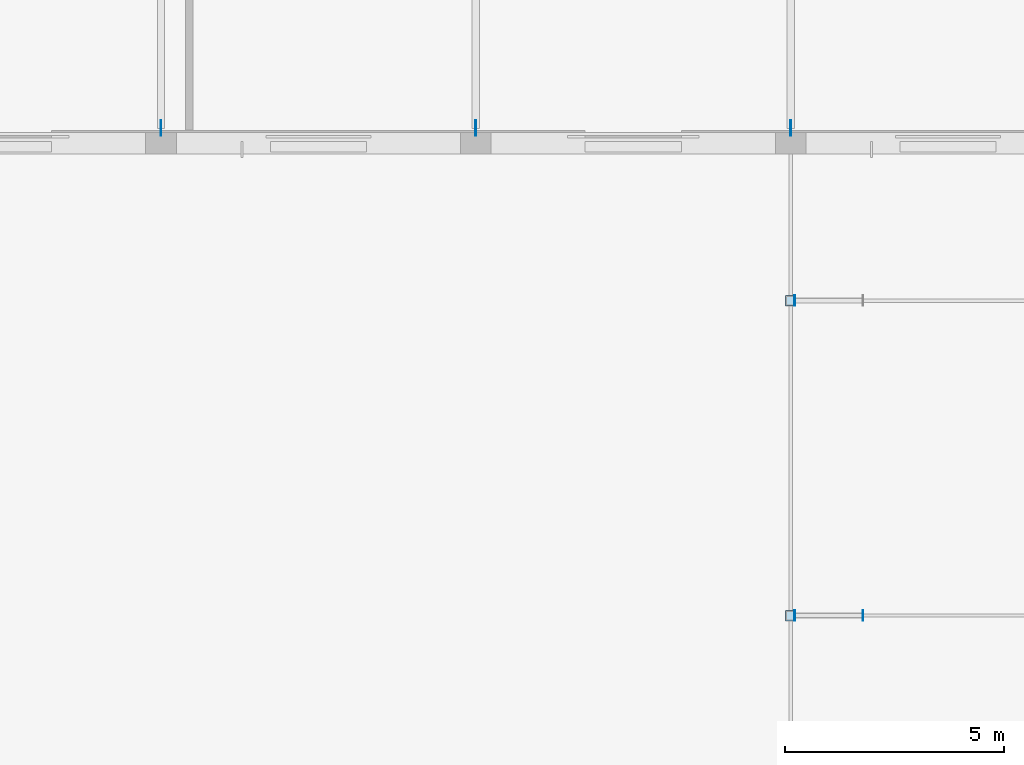
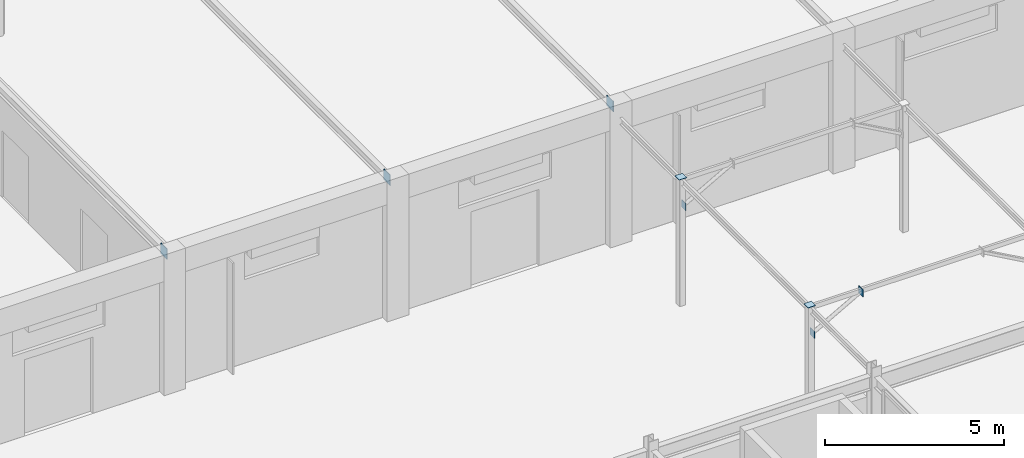
# One storey, part 49 of 85: 8 plates.
"""IFC4 building model written with IfcOpenShell, lengths in metres."""

from ifc_helpers import new_model, si_unit, direction, frame, origin, origin_2d, place, context, subcontext, project, spatial, rectangle, extrude, material, layer, layer_set, type_object, element, save


model = new_model("IFC4")

# Units and contexts
model_context = context("Model", 3, precision=1e-05, world=origin(), true_north=direction((0.0, 1.0)))
body_context = subcontext(model_context, "Body", "Model", "MODEL_VIEW")
ifc_project = project(units=[si_unit("LENGTHUNIT", "METRE"), si_unit("AREAUNIT", "SQUARE_METRE"), si_unit("VOLUMEUNIT", "CUBIC_METRE"), si_unit("PLANEANGLEUNIT", "RADIAN"), si_unit("MASSUNIT", "GRAM", prefix="KILO")], contexts=[model_context])

# Site, building, storey
site_placement = place(None, origin())
site = spatial("IfcSite", under=ifc_project, at=site_placement, CompositionType="ELEMENT")
building_placement = place(site_placement, origin())
building = spatial("IfcBuilding", under=site, at=building_placement, Name="Ochrevale Crest", CompositionType="ELEMENT")
storey_placement = place(building_placement, origin())
storey = spatial("IfcBuildingStorey", under=building, at=storey_placement, Name="L00", CompositionType="ELEMENT", Elevation=0.0)

# Plates
ifc_material = material(Name="Steel S355", Category="steel")
ifc_layer_1 = layer(ifc_material, 0.01611328125)
ifc_layer_set_1 = layer_set([ifc_layer_1], Name="Steel S355")
plate_type_1 = type_object("IfcPlateType", Name="PLT-CAP-EXT-16", PredefinedType="USERDEFINED", material=ifc_layer_set_1)
plate_1_placement = place(storey_placement, frame((79.199951171875, 32.39990234375, 4.3349609375), z_axis=(0.0, 0.0, 1.0), x_axis=(1.0, 0.0, 0.0)))
element("IfcPlate", 1, at=plate_1_placement, inside=storey, type_object=plate_type_1, Name="Covered public passage colonnade post welded end cap plate CE", ObjectType="CAP PLATE", PredefinedType="USERDEFINED", context=body_context, shape_type="SweptSolid", body=[
    extrude(rectangle(XDim=0.239990234375, YDim=0.239990234375, at=origin_2d()), origin(), (0.0, 0.0, 1.0), 0.01611328125),
])
for number, where, z_axis, x_axis, name in (
    (2, (79.29296875, 32.39990234375, 3.22607421875), (0.0, 0.0, 1.0), (1.0, 0.0, 0.0), "Public passage arch strut W welded end cap plate CS"),
    (3, (80.85693359375, 32.39990234375, 4.10400390625), (0.0, 0.0, 1.0), (1.0, 0.0, 0.0), "Public passage arch strut W welded end cap plate CE"),
):
    element("IfcPlate", number, at=place(storey_placement, frame(where, z_axis=z_axis, x_axis=x_axis)), inside=storey, type_object=plate_type_1, Name=name, ObjectType="CAP PLATE", PredefinedType="USERDEFINED", context=body_context, shape_type="SweptSolid", body=[
        extrude(rectangle(XDim=0.01611328125, YDim=0.239990234375, at=origin_2d()), origin(), (0.0, 0.0, 1.0), 0.239990234375),
    ])
plate_2_placement = place(storey_placement, frame((79.199951171875, 39.60009765625, 4.3349609375), z_axis=(0.0, 0.0, 1.0), x_axis=(1.0, 0.0, 0.0)))
element("IfcPlate", 4, at=plate_2_placement, inside=storey, type_object=plate_type_1, Name="Covered public passage colonnade post welded end cap plate CE", ObjectType="CAP PLATE", PredefinedType="USERDEFINED", context=body_context, shape_type="SweptSolid", body=[
    extrude(rectangle(XDim=0.239990234375, YDim=0.239990234375, at=origin_2d()), origin(), (0.0, 0.0, 1.0), 0.01611328125),
])
plate_3_placement = place(storey_placement, frame((79.29296875, 39.60009765625, 3.22607421875), z_axis=(0.0, 0.0, 1.0), x_axis=(1.0, 0.0, 0.0)))
element("IfcPlate", 5, at=plate_3_placement, inside=storey, type_object=plate_type_1, Name="Public passage arch strut W welded end cap plate CS", ObjectType="CAP PLATE", PredefinedType="USERDEFINED", context=body_context, shape_type="SweptSolid", body=[
    extrude(rectangle(XDim=0.01611328125, YDim=0.239990234375, at=origin_2d()), origin(), (0.0, 0.0, 1.0), 0.239990234375),
])
ifc_layer_2 = layer(ifc_material, 0.02001953125)
ifc_layer_set_2 = layer_set([ifc_layer_2], Name="Steel S355")
plate_type_2 = type_object("IfcPlateType", Name="PLT-GUSSET-20", PredefinedType="USERDEFINED", material=ifc_layer_set_2)
for number, where, z_axis, x_axis, name in (
    (6, (64.800048828125, 43.550048828125, 4.27001953125), (0.0, 0.0, 1.0), (1.0, 0.0, 0.0), "Vault tie-beam springing gusset plate 2-S"),
    (7, (72.0, 43.550048828125, 4.27001953125), (0.0, 0.0, 1.0), (1.0, 0.0, 0.0), "Vault tie-beam springing gusset plate 3-S"),
    (8, (79.199951171875, 43.550048828125, 4.27001953125), (0.0, 0.0, 1.0), (1.0, 0.0, 0.0), "Vault tie-beam springing gusset plate 4-S"),
):
    element("IfcPlate", number, at=place(storey_placement, frame(where, z_axis=z_axis, x_axis=x_axis)), inside=storey, type_object=plate_type_2, Name=name, ObjectType="GUSSET PLATE", PredefinedType="USERDEFINED", context=body_context, shape_type="SweptSolid", body=[
        extrude(rectangle(XDim=0.02001953125, YDim=0.360107421875, at=origin_2d()), origin(), (0.0, 0.0, 1.0), 0.360107421875),
    ])

save(model, "model.ifc")
